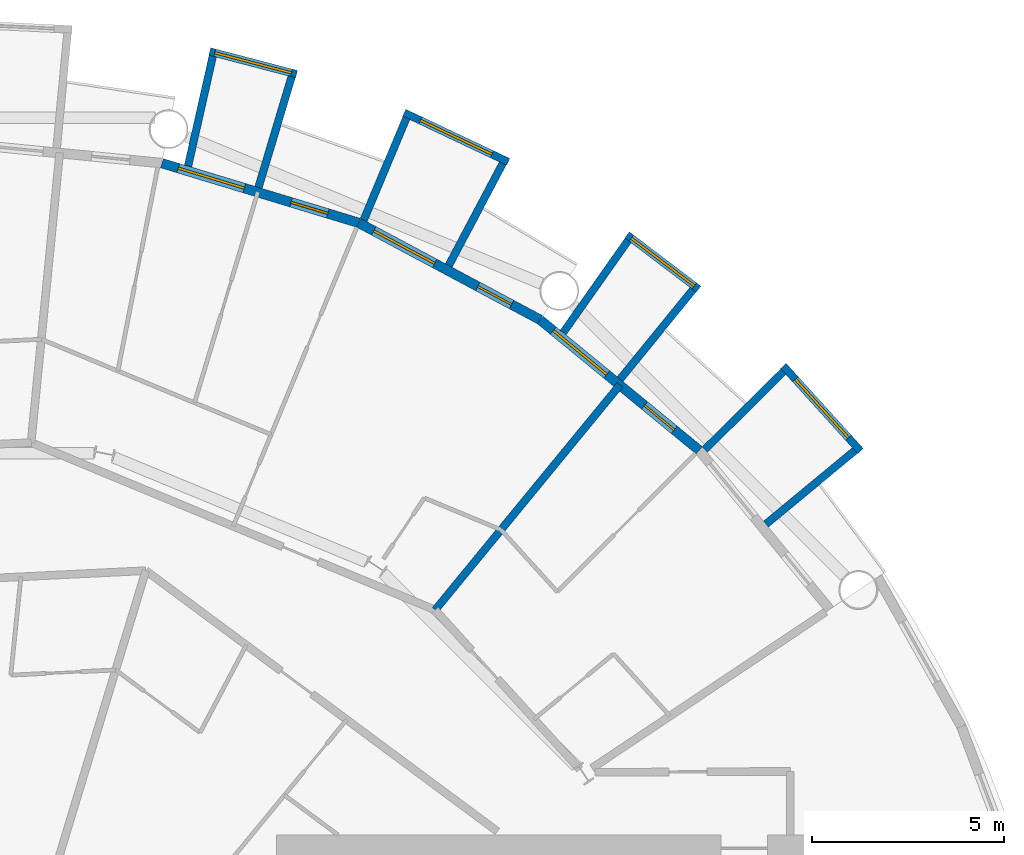
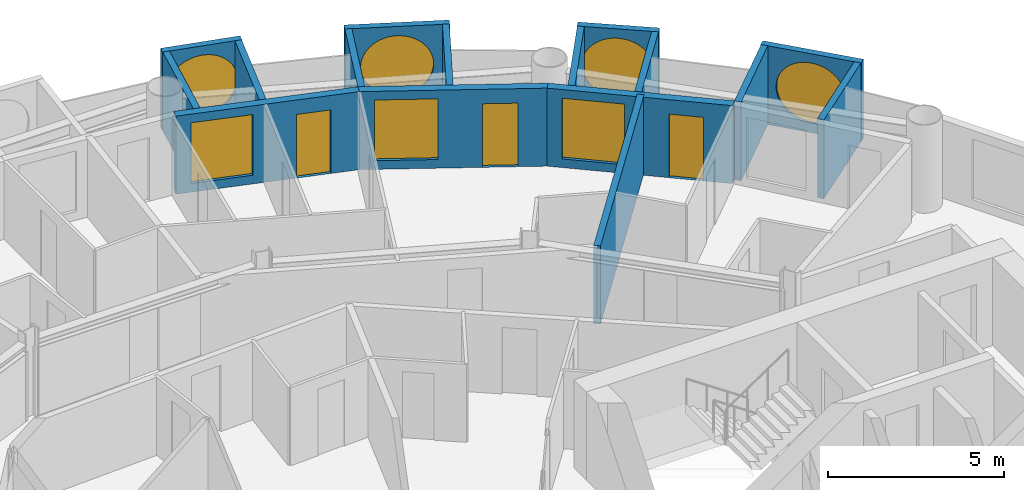
# One storey, part 22 of 26: 16 walls, 7 windows, 3 doors, 10 openings.
"""IFC4 building model written with IfcOpenShell, lengths in metres."""

from ifc_helpers import new_model, si_unit, direction, frame, frame_2d, origin, place, context, subcontext, project, spatial, rectangle, circle, extrude, material, layer, layer_set, type_object, element, fill, save


model = new_model("IFC4")

# Units and contexts
model_context = context("Model", 3, precision=1e-05, world=origin(), true_north=direction((0.0, 1.0)))
body_context = subcontext(model_context, "Body", "Model", "MODEL_VIEW")
ifc_project = project(units=[si_unit("LENGTHUNIT", "METRE"), si_unit("AREAUNIT", "SQUARE_METRE"), si_unit("VOLUMEUNIT", "CUBIC_METRE"), si_unit("PLANEANGLEUNIT", "RADIAN"), si_unit("MASSUNIT", "GRAM", prefix="KILO")], contexts=[model_context])

# Site, building, storey
site_placement = place(None, origin())
site = spatial("IfcSite", under=ifc_project, at=site_placement, CompositionType="ELEMENT")
building_placement = place(site_placement, origin())
building = spatial("IfcBuilding", under=site, at=building_placement, Name="Maasbend Ring Residences", CompositionType="ELEMENT")
storey_placement = place(building_placement, frame((0.0, 0.0, 69.699951171875)))
storey = spatial("IfcBuildingStorey", under=building, at=storey_placement, Name="L19", CompositionType="ELEMENT", Elevation=69.699951171875)

# Wall, opening, window
ifc_material_1 = material(Name="Pale anodised aluminium panel", Category="aluminium")
ifc_layer_1 = layer(ifc_material_1, 0.199951171875)
ifc_layer_set_1 = layer_set([ifc_layer_1], Name="EW-BOX")
wall_type_1 = type_object("IfcWallType", Name="EW-BOX", PredefinedType="SOLIDWALL", material=ifc_layer_set_1)
wall_1_placement = place(storey_placement, frame((23.5029296875, 19.281982421875, -0.030029296875), z_axis=(0.0, 0.0, 1.0), x_axis=(-0.671506829416, 0.740998365753, 0.0)))
wall_1 = element("IfcWall", 1, at=wall_1_placement, inside=storey, type_object=wall_type_1, Name="Box front N02", PredefinedType="SOLIDWALL", context=body_context, shape_type="SweptSolid", body=[
    extrude(rectangle(XDim=2.9931640625, YDim=0.199951171875, at=frame_2d((1.49658203125, 0.0))), origin(), (0.0, 0.0, 1.0), 2.72998046875),
])
opening_1_placement = place(wall_1_placement, frame((0.45654296875, 0.0, 0.330078125)))
opening_1 = element("IfcOpeningElement", 2, at=opening_1_placement, cuts=wall_1, Name="Opening W-RD", PredefinedType="OPENING", context=body_context, shape_type="SweptSolid", body=[
    extrude(circle(Radius=1.0400390625, at=frame_2d((1.0400390625, 1.0400390625))), frame((0.0, 0.10986328125, 0.0), z_axis=(0.0, -1.0, 0.0), x_axis=(1.0, 0.0, 0.0)), (0.0, 0.0, 1.0), 0.219970703125),
])
ifc_material_2 = material(Name="Aluminium and clear glass", Category="aluminium")
window_type_1 = type_object("IfcWindowType", Name="W-RD", PartitioningType="SINGLE_PANEL", PredefinedType="WINDOW", material=ifc_material_2)
window_1_placement = place(opening_1_placement, origin())
window_1 = element("IfcWindow", 3, at=window_1_placement, inside=storey, type_object=window_type_1, Name="Round window N02", OverallHeight=2.080078125, OverallWidth=2.080078125, PartitioningType="SINGLE_PANEL", PredefinedType="WINDOW", context=body_context, shape_type="SweptSolid", body=[
    extrude(circle(Radius=1.0400390625, at=frame_2d((1.0400390625, 1.0400390625))), frame((0.0, 0.030029296875, 0.0), z_axis=(0.0, -1.0, 0.0), x_axis=(1.0, 0.0, 0.0)), (0.0, 0.0, 1.0), 0.06005859375),
])
fill(opening_1, window_1)

# Walls
wall_2_placement = place(storey_placement, frame((21.041015625, 17.384033203125, -0.030029296875), z_axis=(0.0, 0.0, 1.0), x_axis=(0.770784861449, 0.63709551667, 0.0)))
element("IfcWall", 4, at=wall_2_placement, inside=storey, type_object=wall_type_1, Name="Box side wall N02 left", PredefinedType="SOLIDWALL", context=body_context, shape_type="SweptSolid", body=[
    extrude(rectangle(XDim=3.005859375, YDim=0.199951171875, at=frame_2d((1.5029296875, 0.0))), origin(), (0.0, 0.0, 1.0), 2.72998046875),
])
wall_3_placement = place(storey_placement, frame((19.449951171875, 19.322998046875, -0.030029296875), z_axis=(0.0, 0.0, 1.0), x_axis=(0.709727076896, 0.704476739375, 0.0)))
element("IfcWall", 5, at=wall_3_placement, inside=storey, type_object=wall_type_1, Name="Box side wall N02 right", PredefinedType="SOLIDWALL", context=body_context, shape_type="SweptSolid", body=[
    extrude(rectangle(XDim=2.883056640625, YDim=0.199951171875, at=frame_2d((1.44140625, 0.0))), origin(), (0.0, 0.0, 1.0), 2.72998046875),
])

# Wall, opening, window
wall_4_placement = place(storey_placement, frame((19.2890625, 23.4970703125, -0.030029296875), z_axis=(0.0, 0.0, 1.0), x_axis=(-0.796842165306, 0.60418752353, 0.0)))
wall_4 = element("IfcWall", 6, at=wall_4_placement, inside=storey, type_object=wall_type_1, Name="Box front N04", PredefinedType="SOLIDWALL", context=body_context, shape_type="SweptSolid", body=[
    extrude(rectangle(XDim=2.3369140625, YDim=0.199951171875, at=frame_2d((1.16845703125, 0.0))), origin(), (0.0, 0.0, 1.0), 2.72998046875),
])
opening_2_placement = place(wall_4_placement, frame((0.128173828125, 0.0, 0.330078125)))
opening_2 = element("IfcOpeningElement", 7, at=opening_2_placement, cuts=wall_4, Name="Opening W-RD", PredefinedType="OPENING", context=body_context, shape_type="SweptSolid", body=[
    extrude(circle(Radius=1.0400390625, at=frame_2d((1.0400390625, 1.0400390625))), frame((0.0, 0.10986328125, 0.0), z_axis=(0.0, -1.0, 0.0), x_axis=(1.0, 0.0, 0.0)), (0.0, 0.0, 1.0), 0.219970703125),
])
window_2_placement = place(opening_2_placement, origin())
window_2 = element("IfcWindow", 8, at=window_2_placement, inside=storey, type_object=window_type_1, Name="Round window N04", OverallHeight=2.080078125, OverallWidth=2.080078125, PartitioningType="SINGLE_PANEL", PredefinedType="WINDOW", context=body_context, shape_type="SweptSolid", body=[
    extrude(circle(Radius=1.0400390625, at=frame_2d((1.0400390625, 1.0400390625))), frame((0.0, 0.030029296875, 0.0), z_axis=(0.0, -1.0, 0.0), x_axis=(1.0, 0.0, 0.0)), (0.0, 0.0, 1.0), 0.06005859375),
])
fill(opening_2, window_2)

# Walls
wall_5_placement = place(storey_placement, frame((17.24609375, 21.155029296875, -0.030029296875), z_axis=(0.0, 0.0, 1.0), x_axis=(0.631741648902, 0.775179004516, 0.0)))
element("IfcWall", 9, at=wall_5_placement, inside=storey, type_object=wall_type_1, Name="Box side wall N04 left", PredefinedType="SOLIDWALL", context=body_context, shape_type="SweptSolid", body=[
    extrude(rectangle(XDim=3.005859375, YDim=0.199951171875, at=frame_2d((1.5029296875, 0.0))), origin(), (0.0, 0.0, 1.0), 2.72998046875),
])
wall_6_placement = place(storey_placement, frame((15.764892578125, 22.3701171875, -0.030029296875), z_axis=(0.0, 0.0, 1.0), x_axis=(0.576274612209, 0.817256123454, 0.0)))
element("IfcWall", 10, at=wall_6_placement, inside=storey, type_object=wall_type_1, Name="Box side wall N04 right", PredefinedType="SOLIDWALL", context=body_context, shape_type="SweptSolid", body=[
    extrude(rectangle(XDim=2.932861328125, YDim=0.199951171875, at=frame_2d((1.46630859375, 0.0))), origin(), (0.0, 0.0, 1.0), 2.72998046875),
])

# Wall, opening, window
wall_7_placement = place(storey_placement, frame((14.3349609375, 26.80810546875, -0.030029296875), z_axis=(0.0, 0.0, 1.0), x_axis=(-0.904000060331, 0.427532327342, 0.0)))
wall_7 = element("IfcWall", 11, at=wall_7_placement, inside=storey, type_object=wall_type_1, Name="Box front N06", PredefinedType="SOLIDWALL", context=body_context, shape_type="SweptSolid", body=[
    extrude(rectangle(XDim=2.993408203125, YDim=0.199951171875, at=frame_2d((1.49658203125, 0.0))), origin(), (0.0, 0.0, 1.0), 2.72998046875),
])
opening_3_placement = place(wall_7_placement, frame((0.45654296875, 0.0, 0.330078125)))
opening_3 = element("IfcOpeningElement", 12, at=opening_3_placement, cuts=wall_7, Name="Opening W-RD", PredefinedType="OPENING", context=body_context, shape_type="SweptSolid", body=[
    extrude(circle(Radius=1.0400390625, at=frame_2d((1.0400390625, 1.0400390625))), frame((0.0, 0.10986328125, 0.0), z_axis=(0.0, -1.0, 0.0), x_axis=(1.0, 0.0, 0.0)), (0.0, 0.0, 1.0), 0.219970703125),
])
window_3_placement = place(opening_3_placement, origin())
window_3 = element("IfcWindow", 13, at=window_3_placement, inside=storey, type_object=window_type_1, Name="Round window N06", OverallHeight=2.080078125, OverallWidth=2.080078125, PartitioningType="SINGLE_PANEL", PredefinedType="WINDOW", context=body_context, shape_type="SweptSolid", body=[
    extrude(circle(Radius=1.0400390625, at=frame_2d((1.0400390625, 1.0400390625))), frame((0.0, 0.030029296875, 0.0), z_axis=(0.0, -1.0, 0.0), x_axis=(1.0, 0.0, 0.0)), (0.0, 0.0, 1.0), 0.06005859375),
])
fill(opening_3, window_3)

# Walls
wall_8_placement = place(storey_placement, frame((12.787109375, 24.113037109375, -0.030029296875), z_axis=(0.0, 0.0, 1.0), x_axis=(0.468365282436, 0.883534924159, 0.0)))
element("IfcWall", 14, at=wall_8_placement, inside=storey, type_object=wall_type_1, Name="Box side wall N06 left", PredefinedType="SOLIDWALL", context=body_context, shape_type="SweptSolid", body=[
    extrude(rectangle(XDim=3.006103515625, YDim=0.199951171875, at=frame_2d((1.5029296875, 0.0))), origin(), (0.0, 0.0, 1.0), 2.72998046875),
])
wall_9_placement = place(storey_placement, frame((10.574951171875, 25.294921875, -0.030029296875), z_axis=(0.0, 0.0, 1.0), x_axis=(0.385697364644, 0.922625353492, 0.0)))
element("IfcWall", 15, at=wall_9_placement, inside=storey, type_object=wall_type_1, Name="Box side wall N06 right", PredefinedType="SOLIDWALL", context=body_context, shape_type="SweptSolid", body=[
    extrude(rectangle(XDim=2.88330078125, YDim=0.199951171875, at=frame_2d((1.441650390625, 0.0))), origin(), (0.0, 0.0, 1.0), 2.72998046875),
])

# Wall, opening, window
wall_10_placement = place(storey_placement, frame((8.827880859375, 29.090087890625, -0.030029296875), z_axis=(0.0, 0.0, 1.0), x_axis=(-0.967377102346, 0.253340762326, 0.0)))
wall_10 = element("IfcWall", 16, at=wall_10_placement, inside=storey, type_object=wall_type_1, Name="Box front N08", PredefinedType="SOLIDWALL", context=body_context, shape_type="SweptSolid", body=[
    extrude(rectangle(XDim=2.3359375, YDim=0.199951171875, at=frame_2d((1.16796875, 0.0))), origin(), (0.0, 0.0, 1.0), 2.72998046875),
])
opening_4_placement = place(wall_10_placement, frame((0.128173828125, 0.0, 0.330078125)))
opening_4 = element("IfcOpeningElement", 17, at=opening_4_placement, cuts=wall_10, Name="Opening W-RD", PredefinedType="OPENING", context=body_context, shape_type="SweptSolid", body=[
    extrude(circle(Radius=1.0400390625, at=frame_2d((1.0400390625, 1.0400390625))), frame((0.0, 0.10986328125, 0.0), z_axis=(0.0, -1.0, 0.0), x_axis=(1.0, 0.0, 0.0)), (0.0, 0.0, 1.0), 0.219970703125),
])
window_4_placement = place(opening_4_placement, origin())
window_4 = element("IfcWindow", 18, at=window_4_placement, inside=storey, type_object=window_type_1, Name="Round window N08", OverallHeight=2.080078125, OverallWidth=2.080078125, PartitioningType="SINGLE_PANEL", PredefinedType="WINDOW", context=body_context, shape_type="SweptSolid", body=[
    extrude(circle(Radius=1.0400390625, at=frame_2d((1.0400390625, 1.0400390625))), frame((0.0, 0.030029296875, 0.0), z_axis=(0.0, -1.0, 0.0), x_axis=(1.0, 0.0, 0.0)), (0.0, 0.0, 1.0), 0.06005859375),
])
fill(opening_4, window_4)

# Walls
wall_11_placement = place(storey_placement, frame((7.8369140625, 26.14404296875, -0.030029296875), z_axis=(0.0, 0.0, 1.0), x_axis=(0.287064767992, 0.957911174889, 0.0)))
element("IfcWall", 19, at=wall_11_placement, inside=storey, type_object=wall_type_1, Name="Box side wall N08 left", PredefinedType="SOLIDWALL", context=body_context, shape_type="SweptSolid", body=[
    extrude(rectangle(XDim=3.00634765625, YDim=0.199951171875, at=frame_2d((1.503173828125, 0.0))), origin(), (0.0, 0.0, 1.0), 2.72998046875),
])
wall_12_placement = place(storey_placement, frame((6.00390625, 26.699951171875, -0.030029296875), z_axis=(0.0, 0.0, 1.0), x_axis=(0.219609259383, 0.975587911566, 0.0)))
element("IfcWall", 20, at=wall_12_placement, inside=storey, type_object=wall_type_1, Name="Box side wall N08 right", PredefinedType="SOLIDWALL", context=body_context, shape_type="SweptSolid", body=[
    extrude(rectangle(XDim=2.9326171875, YDim=0.199951171875, at=frame_2d((1.46630859375, 0.0))), origin(), (0.0, 0.0, 1.0), 2.72998046875),
])

# Wall, openings, door, window
ifc_material_3 = material(Name="Aluminium clad insulated panel", Category="aluminium")
ifc_layer_2 = layer(ifc_material_3, 0.25)
ifc_layer_set_2 = layer_set([ifc_layer_2], Name="EW-GL")
wall_type_2 = type_object("IfcWallType", Name="EW-GL", PredefinedType="SOLIDWALL", material=ifc_layer_set_2)
wall_13_placement = place(storey_placement, frame((19.303955078125, 19.303955078125, 0.0), z_axis=(0.0, 0.0, 1.0), x_axis=(-0.773019449054, 0.634382322723, 0.0)))
wall_13 = element("IfcWall", 21, at=wall_13_placement, inside=storey, type_object=wall_type_2, Name="External wall N02", PredefinedType="SOLIDWALL", context=body_context, shape_type="SweptSolid", body=[
    extrude(rectangle(XDim=5.351806640625, YDim=0.25, at=frame_2d((2.67578125, 0.0))), origin(), (0.0, 0.0, 1.0), 2.699951171875),
])
opening_5_placement = place(wall_13_placement, frame((0.841064453125, 0.0, 0.0)))
opening_5 = element("IfcOpeningElement", 22, at=opening_5_placement, cuts=wall_13, Name="Opening D-LG", PredefinedType="OPENING", context=body_context, shape_type="SweptSolid", body=[
    extrude(rectangle(XDim=1.0, YDim=2.199951171875, at=frame_2d((0.5, 1.10009765625))), frame((0.0, 0.135009765625, 0.0), z_axis=(0.0, -1.0, 0.0), x_axis=(1.0, 0.0, 0.0)), (0.0, 0.0, 1.0), 0.27001953125),
])
opening_6_placement = place(wall_13_placement, frame((3.110595703125, 0.0, 0.300048828125)))
opening_6 = element("IfcOpeningElement", 23, at=opening_6_placement, cuts=wall_13, Name="Opening W-BX", PredefinedType="OPENING", context=body_context, shape_type="SweptSolid", body=[
    extrude(rectangle(XDim=1.800048828125, YDim=2.10009765625, at=frame_2d((0.89990234375, 1.050048828125))), frame((0.0, 0.135009765625, 0.0), z_axis=(0.0, -1.0, 0.0), x_axis=(1.0, 0.0, 0.0)), (0.0, 0.0, 1.0), 0.27001953125),
])
ifc_material_4 = material(Name="Aluminium and clear glass", Category="aluminium")
door_type = type_object("IfcDoorType", Name="D-LG", OperationType="SINGLE_SWING_LEFT", PredefinedType="DOOR", material=ifc_material_4)
door_1_placement = place(opening_5_placement, origin())
door_1 = element("IfcDoor", 24, at=door_1_placement, inside=storey, type_object=door_type, Name="Loggia door N03", OperationType="SINGLE_SWING_LEFT", OverallHeight=2.199951171875, OverallWidth=1.0, PredefinedType="DOOR", context=body_context, shape_type="SweptSolid", body=[
    extrude(rectangle(XDim=1.0, YDim=2.199951171875, at=frame_2d((0.5, 1.10009765625))), frame((0.0, 0.02490234375, 0.0), z_axis=(0.0, -1.0, 0.0), x_axis=(1.0, 0.0, 0.0)), (0.0, 0.0, 1.0), 0.050048828125),
])
fill(opening_5, door_1)
ifc_material_5 = material(Name="Aluminium and clear glass", Category="aluminium")
window_type_2 = type_object("IfcWindowType", Name="W-BX", PartitioningType="DOUBLE_PANEL_VERTICAL", PredefinedType="WINDOW", material=ifc_material_5)
window_5_placement = place(opening_6_placement, origin())
window_5 = element("IfcWindow", 25, at=window_5_placement, inside=storey, type_object=window_type_2, Name="Window N04 room to box", OverallHeight=2.10009765625, OverallWidth=1.800048828125, PartitioningType="SINGLE_PANEL", PredefinedType="WINDOW", context=body_context, shape_type="SweptSolid", body=[
    extrude(rectangle(XDim=1.800048828125, YDim=2.10009765625, at=frame_2d((0.89990234375, 1.050048828125))), frame((0.0, 0.030029296875, 0.0), z_axis=(0.0, -1.0, 0.0), x_axis=(1.0, 0.0, 0.0)), (0.0, 0.0, 1.0), 0.06005859375),
])
fill(opening_6, window_5)

wall_14_placement = place(storey_placement, frame((15.1669921875, 22.698974609375, 0.0), z_axis=(0.0, 0.0, 1.0), x_axis=(-0.881915646801, 0.471407246368, 0.0)))
wall_14 = element("IfcWall", 26, at=wall_14_placement, inside=storey, type_object=wall_type_2, Name="External wall N03", PredefinedType="SOLIDWALL", context=body_context, shape_type="SweptSolid", body=[
    extrude(rectangle(XDim=5.35205078125, YDim=0.25, at=frame_2d((2.676025390625, 0.0))), origin(), (0.0, 0.0, 1.0), 2.699951171875),
])
opening_7_placement = place(wall_14_placement, frame((0.841064453125, 0.0, 0.0)))
opening_7 = element("IfcOpeningElement", 27, at=opening_7_placement, cuts=wall_14, Name="Opening D-LG", PredefinedType="OPENING", context=body_context, shape_type="SweptSolid", body=[
    extrude(rectangle(XDim=1.0, YDim=2.199951171875, at=frame_2d((0.5, 1.10009765625))), frame((0.0, 0.135009765625, 0.0), z_axis=(0.0, -1.0, 0.0), x_axis=(1.0, 0.0, 0.0)), (0.0, 0.0, 1.0), 0.27001953125),
])
opening_8_placement = place(wall_14_placement, frame((3.110595703125, 0.0, 0.300048828125)))
opening_8 = element("IfcOpeningElement", 28, at=opening_8_placement, cuts=wall_14, Name="Opening W-BX", PredefinedType="OPENING", context=body_context, shape_type="SweptSolid", body=[
    extrude(rectangle(XDim=1.800048828125, YDim=2.10009765625, at=frame_2d((0.89990234375, 1.050048828125))), frame((0.0, 0.135009765625, 0.0), z_axis=(0.0, -1.0, 0.0), x_axis=(1.0, 0.0, 0.0)), (0.0, 0.0, 1.0), 0.27001953125),
])
door_2_placement = place(opening_7_placement, origin())
door_2 = element("IfcDoor", 29, at=door_2_placement, inside=storey, type_object=door_type, Name="Loggia door N05", OperationType="SINGLE_SWING_LEFT", OverallHeight=2.199951171875, OverallWidth=1.0, PredefinedType="DOOR", context=body_context, shape_type="SweptSolid", body=[
    extrude(rectangle(XDim=1.0, YDim=2.199951171875, at=frame_2d((0.5, 1.10009765625))), frame((0.0, 0.02490234375, 0.0), z_axis=(0.0, -1.0, 0.0), x_axis=(1.0, 0.0, 0.0)), (0.0, 0.0, 1.0), 0.050048828125),
])
fill(opening_7, door_2)
window_6_placement = place(opening_8_placement, origin())
window_6 = element("IfcWindow", 30, at=window_6_placement, inside=storey, type_object=window_type_2, Name="Window N06 room to box", OverallHeight=2.10009765625, OverallWidth=1.800048828125, PartitioningType="SINGLE_PANEL", PredefinedType="WINDOW", context=body_context, shape_type="SweptSolid", body=[
    extrude(rectangle(XDim=1.800048828125, YDim=2.10009765625, at=frame_2d((0.89990234375, 1.050048828125))), frame((0.0, 0.030029296875, 0.0), z_axis=(0.0, -1.0, 0.0), x_axis=(1.0, 0.0, 0.0)), (0.0, 0.0, 1.0), 0.06005859375),
])
fill(opening_8, window_6)

wall_15_placement = place(storey_placement, frame((10.447021484375, 25.221923828125, 0.0), z_axis=(0.0, 0.0, 1.0), x_axis=(-0.956965678721, 0.290201119486, 0.0)))
wall_15 = element("IfcWall", 31, at=wall_15_placement, inside=storey, type_object=wall_type_2, Name="External wall N04", PredefinedType="SOLIDWALL", context=body_context, shape_type="SweptSolid", body=[
    extrude(rectangle(XDim=5.351318359375, YDim=0.25, at=frame_2d((2.67578125, 0.0))), origin(), (0.0, 0.0, 1.0), 2.699951171875),
])
opening_9_placement = place(wall_15_placement, frame((0.841064453125, 0.0, 0.0)))
opening_9 = element("IfcOpeningElement", 32, at=opening_9_placement, cuts=wall_15, Name="Opening D-LG", PredefinedType="OPENING", context=body_context, shape_type="SweptSolid", body=[
    extrude(rectangle(XDim=1.0, YDim=2.199951171875, at=frame_2d((0.5, 1.10009765625))), frame((0.0, 0.135009765625, 0.0), z_axis=(0.0, -1.0, 0.0), x_axis=(1.0, 0.0, 0.0)), (0.0, 0.0, 1.0), 0.27001953125),
])
opening_10_placement = place(wall_15_placement, frame((3.110595703125, 0.0, 0.300048828125)))
opening_10 = element("IfcOpeningElement", 33, at=opening_10_placement, cuts=wall_15, Name="Opening W-BX", PredefinedType="OPENING", context=body_context, shape_type="SweptSolid", body=[
    extrude(rectangle(XDim=1.800048828125, YDim=2.10009765625, at=frame_2d((0.89990234375, 1.050048828125))), frame((0.0, 0.135009765625, 0.0), z_axis=(0.0, -1.0, 0.0), x_axis=(1.0, 0.0, 0.0)), (0.0, 0.0, 1.0), 0.27001953125),
])
door_3_placement = place(opening_9_placement, origin())
door_3 = element("IfcDoor", 34, at=door_3_placement, inside=storey, type_object=door_type, Name="Loggia door N07", OperationType="SINGLE_SWING_LEFT", OverallHeight=2.199951171875, OverallWidth=1.0, PredefinedType="DOOR", context=body_context, shape_type="SweptSolid", body=[
    extrude(rectangle(XDim=1.0, YDim=2.199951171875, at=frame_2d((0.5, 1.10009765625))), frame((0.0, 0.02490234375, 0.0), z_axis=(0.0, -1.0, 0.0), x_axis=(1.0, 0.0, 0.0)), (0.0, 0.0, 1.0), 0.050048828125),
])
fill(opening_9, door_3)
window_7_placement = place(opening_10_placement, origin())
window_7 = element("IfcWindow", 35, at=window_7_placement, inside=storey, type_object=window_type_2, Name="Window N08 room to box", OverallHeight=2.10009765625, OverallWidth=1.800048828125, PartitioningType="SINGLE_PANEL", PredefinedType="WINDOW", context=body_context, shape_type="SweptSolid", body=[
    extrude(rectangle(XDim=1.800048828125, YDim=2.10009765625, at=frame_2d((0.89990234375, 1.050048828125))), frame((0.0, 0.030029296875, 0.0), z_axis=(0.0, -1.0, 0.0), x_axis=(1.0, 0.0, 0.0)), (0.0, 0.0, 1.0), 0.06005859375),
])
fill(opening_10, window_7)

# Wall
ifc_material_6 = material(Name="Concrete C30/37", Category="concrete")
ifc_layer_3 = layer(ifc_material_6, 0.199951171875)
ifc_layer_set_3 = layer_set([ifc_layer_3], Name="Concrete C30/37")
wall_type_3 = type_object("IfcWallType", Name="PARTY WALL 200 CONCRETE", PredefinedType="PARTITIONING", material=ifc_layer_set_3)
wall_16_placement = place(storey_placement, frame((12.43505859375, 15.14990234375, 0.0), z_axis=(0.0, 0.0, 1.0), x_axis=(0.634458323308, 0.772957072537, 0.0)))
element("IfcWall", 36, at=wall_16_placement, inside=storey, type_object=wall_type_3, Name="U-L19-w078", PredefinedType="PARTITIONING", context=body_context, shape_type="SweptSolid", body=[
    extrude(rectangle(XDim=7.576416015625, YDim=0.199951171875, at=frame_2d((3.7880859375, 0.0))), origin(), (0.0, 0.0, 1.0), 2.699951171875),
])

save(model, "model.ifc")
